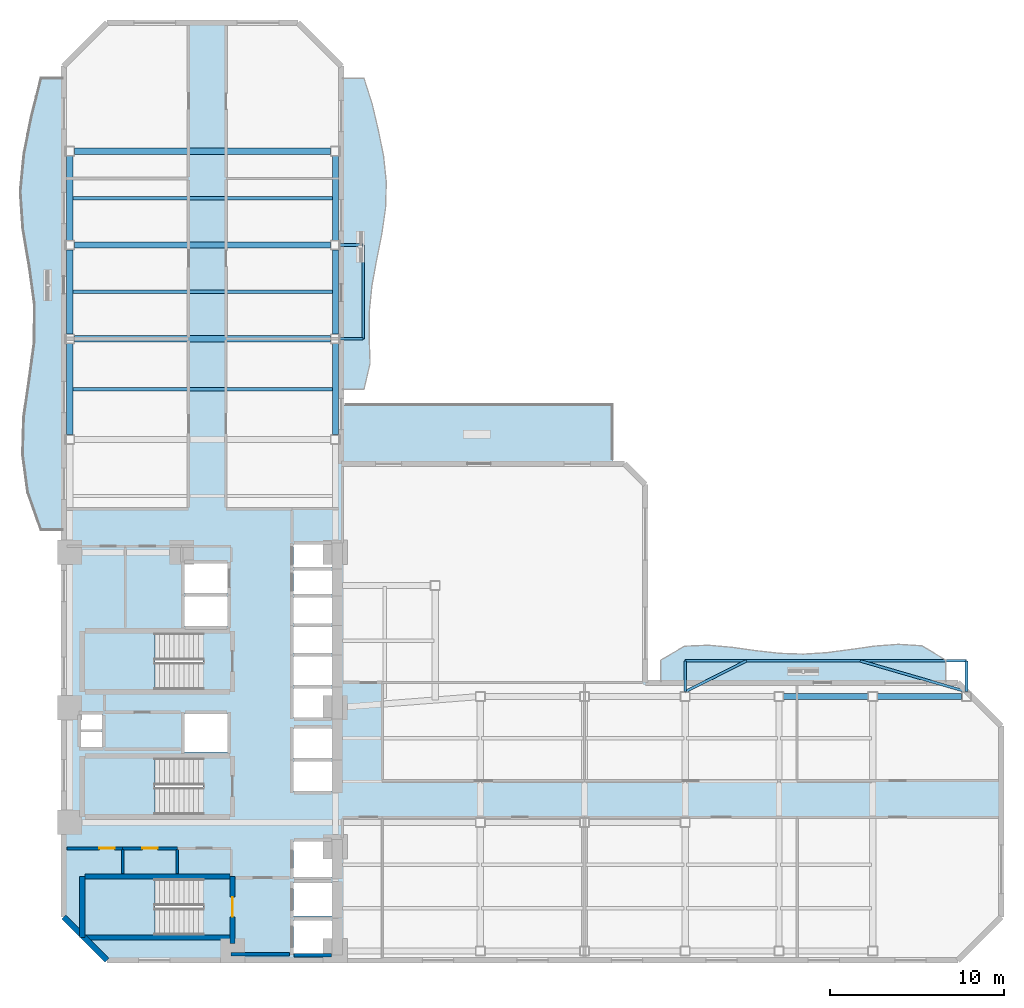
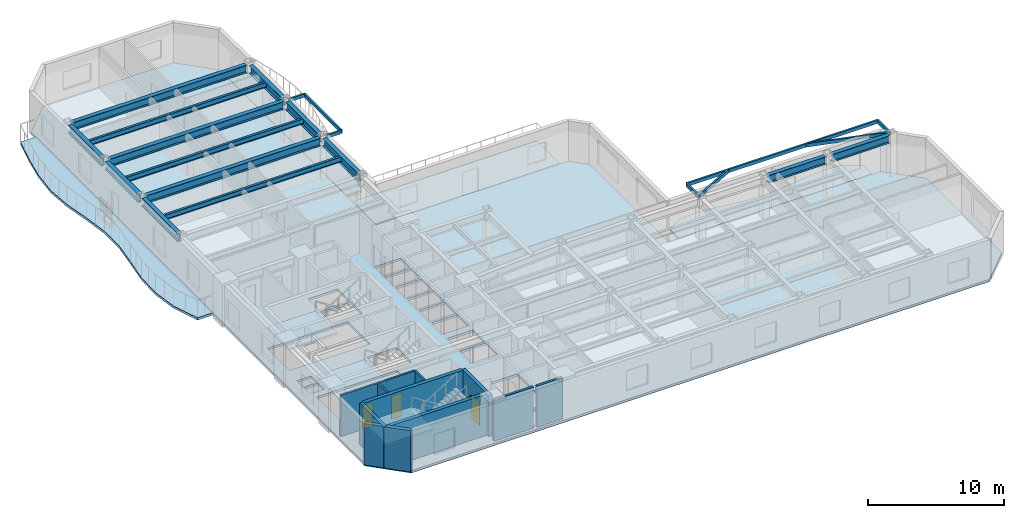
# One storey, part 2 of 10: 22 beams, 11 walls, 8 slabs, 3 doors, 3 openings, 3 elements without a shape of their own.
"""IFC4 building model written with IfcOpenShell, lengths in metres."""

from ifc_helpers import new_model, si_unit, direction, frame, frame_2d, origin, origin_2d, place, context, subcontext, project, spatial, polyline, rectangle, hollow_rectangle, i_section, outline, extrude, material, layer, layer_set, material_profile, profile_set, type_object, element, fill, aggregate, save


model = new_model("IFC4")

# Units and contexts
model_context = context("Model", 3, precision=1e-05, world=origin(), true_north=direction((0.0, 1.0)))
body_context = subcontext(model_context, "Body", "Model", "MODEL_VIEW")
ifc_project = project(units=[si_unit("LENGTHUNIT", "METRE"), si_unit("AREAUNIT", "SQUARE_METRE"), si_unit("VOLUMEUNIT", "CUBIC_METRE"), si_unit("PLANEANGLEUNIT", "RADIAN"), si_unit("MASSUNIT", "GRAM", prefix="KILO")], contexts=[model_context])

# Site, building, storey
site_placement = place(None, origin())
site = spatial("IfcSite", under=ifc_project, at=site_placement, CompositionType="ELEMENT")
building_placement = place(site_placement, origin())
building = spatial("IfcBuilding", under=site, at=building_placement, Name="Mawjaban Terraces University", CompositionType="ELEMENT")
storey_placement = place(building_placement, frame((0.0, 0.0, 31.0)))
storey = spatial("IfcBuildingStorey", under=building, at=storey_placement, Name="L06", CompositionType="ELEMENT", Elevation=31.0)

# Beams
ifc_material_1 = material(Name="Steel EN 10210-1 S355J2H", Category="steel")
ifc_material_profile_1 = material_profile(ifc_material_1, hollow_rectangle(XDim=0.14990234375, YDim=0.300048828125, WallThickness=0.012451171875, at=origin_2d()), Name="RHS300X150X12.5")
ifc_profile_set_1 = profile_set([ifc_material_profile_1], Name="Steel EN 10210-1 S355J2H")
beam_type_1 = type_object("IfcBeamType", Name="BalconyCantileverSpandrel_RHS", PredefinedType="SPANDREL", material=ifc_profile_set_1)
for number, where, z_axis, x_axis, name in (
    (1, (57.800048828125, 15.47509765625, 3.5400390625), (0.0, 1.0, 0.0), (-1.0, 0.0, 0.0), "L06 Exterior Outrigger BAL-L07-N.1"),
    (2, (74.0, 15.47509765625, 3.5400390625), (0.0, 1.0, 0.0), (-1.0, 0.0, 0.0), "L06 Exterior Outrigger BAL-L07-N.2"),
):
    element("IfcBeam", number, at=place(storey_placement, frame(where, z_axis=z_axis, x_axis=x_axis)), inside=storey, type_object=beam_type_1, Name=name, PredefinedType="SPANDREL", context=body_context, shape_type="SweptSolid", body=[
        extrude(hollow_rectangle(XDim=0.14990234375, YDim=0.300048828125, WallThickness=0.012451171875, at=origin_2d()), origin(), (0.0, 0.0, 1.0), 1.77490234375),
    ])
beam_1_placement = place(storey_placement, frame((57.800048828125, 17.25, 3.5400390625), z_axis=(1.0, 0.0, 0.0), x_axis=(0.0, 1.0, 0.0)))
element("IfcBeam", 3, at=beam_1_placement, inside=storey, type_object=beam_type_1, Name="L06 Exterior Edge Spandrel BAL-L07-N", PredefinedType="SPANDREL", context=body_context, shape_type="SweptSolid", body=[
    extrude(hollow_rectangle(XDim=0.14990234375, YDim=0.300048828125, WallThickness=0.012451171875, at=origin_2d()), origin(), (0.0, 0.0, 1.0), 16.199951171875),
])
beam_2_placement = place(storey_placement, frame((57.800048828125, 15.47509765625, 3.5400390625), z_axis=(0.892910985916, 0.450233240922, 0.0), x_axis=(-0.450233240922, 0.892910985916, 0.0)))
element("IfcBeam", 4, at=beam_2_placement, inside=storey, type_object=beam_type_1, Name="L06 Exterior Diagonal Strut BAL-L07-N.1", PredefinedType="SPANDREL", context=body_context, shape_type="SweptSolid", body=[
    extrude(hollow_rectangle(XDim=0.14990234375, YDim=0.300048828125, WallThickness=0.012451171875, at=origin_2d()), origin(), (0.0, 0.0, 1.0), 3.942138671875),
])
beam_3_placement = place(storey_placement, frame((74.0, 15.47509765625, 3.5400390625), z_axis=(-0.960426269064, 0.278534345624, 0.0), x_axis=(-0.278534345624, -0.960426269064, 0.0)))
element("IfcBeam", 5, at=beam_3_placement, inside=storey, type_object=beam_type_1, Name="L06 Exterior Diagonal Strut BAL-L07-N.2", PredefinedType="SPANDREL", context=body_context, shape_type="SweptSolid", body=[
    extrude(hollow_rectangle(XDim=0.14990234375, YDim=0.300048828125, WallThickness=0.012451171875, at=origin_2d()), origin(), (0.0, 0.0, 1.0), 6.372314453125),
])
for number, where, z_axis, x_axis, name in (
    (6, (37.925048828125, 35.800048828125, 3.5400390625), (1.0, 0.0, 0.0), (0.0, 1.0, 0.0), "L06 Exterior Outrigger BAL-L07-E.1"),
    (7, (37.925048828125, 41.199951171875, 3.5400390625), (1.0, 0.0, 0.0), (0.0, 1.0, 0.0), "L06 Exterior Outrigger BAL-L07-E.2"),
):
    element("IfcBeam", number, at=place(storey_placement, frame(where, z_axis=z_axis, x_axis=x_axis)), inside=storey, type_object=beam_type_1, Name=name, PredefinedType="SPANDREL", context=body_context, shape_type="SweptSolid", body=[
        extrude(hollow_rectangle(XDim=0.14990234375, YDim=0.300048828125, WallThickness=0.012451171875, at=origin_2d()), origin(), (0.0, 0.0, 1.0), 1.324951171875),
    ])
beam_4_placement = place(storey_placement, frame((39.25, 35.800048828125, 3.5400390625), z_axis=(0.0, 1.0, 0.0), x_axis=(-1.0, 0.0, 0.0)))
element("IfcBeam", 8, at=beam_4_placement, inside=storey, type_object=beam_type_1, Name="L06 Exterior Edge Spandrel BAL-L07-E", PredefinedType="SPANDREL", context=body_context, shape_type="SweptSolid", body=[
    extrude(hollow_rectangle(XDim=0.14990234375, YDim=0.300048828125, WallThickness=0.012451171875, at=origin_2d()), origin(), (0.0, 0.0, 1.0), 5.39990234375),
])
ifc_material_2 = material(Name="Steel ASTM A572 Grade 50", Category="steel")
ifc_material_profile_2 = material_profile(ifc_material_2, i_section(OverallWidth=0.35498046875, OverallDepth=0.695068359375, WebThickness=0.015380859375, FlangeThickness=0.02490234375, at=origin_2d()), Name="W690X217")
ifc_profile_set_2 = profile_set([ifc_material_profile_2], Name="Steel ASTM A572 Grade 50")
beam_type_2 = type_object("IfcBeamType", Name="Beam_B_W690X217", PredefinedType="BEAM", material=ifc_profile_set_2)
beam_5_placement = place(storey_placement, frame((63.47509765625, 15.199951171875, 3.343017578125), z_axis=(1.0, 0.0, 0.0), x_axis=(0.0, 1.0, 0.0)))
element("IfcBeam", 9, at=beam_5_placement, inside=storey, type_object=beam_type_2, Name="L06 Beam BM-L06-EW-12", PredefinedType="BEAM", context=body_context, shape_type="SweptSolid", body=[
    extrude(i_section(OverallWidth=0.35498046875, OverallDepth=0.695068359375, WebThickness=0.015380859375, FlangeThickness=0.02490234375, at=origin_2d()), origin(), (0.0, 0.0, 1.0), 4.849853515625),
])
beam_6_placement = place(storey_placement, frame((68.875, 15.199951171875, 3.343017578125), z_axis=(1.0, 0.0, 0.0), x_axis=(0.0, 1.0, 0.0)))
element("IfcBeam", 10, at=beam_6_placement, inside=storey, type_object=beam_type_2, Name="L06 Beam BM-L06-EW-13", PredefinedType="BEAM", context=body_context, shape_type="SweptSolid", body=[
    extrude(i_section(OverallWidth=0.35498046875, OverallDepth=0.695068359375, WebThickness=0.015380859375, FlangeThickness=0.02490234375, at=origin_2d()), origin(), (0.0, 0.0, 1.0), 4.85009765625),
])
for number, where, z_axis, x_axis, name in (
    (11, (22.625, 35.800048828125, 3.343017578125), (1.0, 0.0, 0.0), (0.0, 1.0, 0.0), "L06 Beam BM-L06-EW-16"),
    (12, (22.625, 41.199951171875, 3.343017578125), (1.0, 0.0, 0.0), (0.0, 1.0, 0.0), "L06 Beam BM-L06-EW-17"),
    (13, (22.625, 46.60009765625, 3.343017578125), (1.0, 0.0, 0.0), (0.0, 1.0, 0.0), "L06 Beam BM-L06-EW-18"),
):
    element("IfcBeam", number, at=place(storey_placement, frame(where, z_axis=z_axis, x_axis=x_axis)), inside=storey, type_object=beam_type_2, Name=name, PredefinedType="BEAM", context=body_context, shape_type="SweptSolid", body=[
        extrude(i_section(OverallWidth=0.35498046875, OverallDepth=0.695068359375, WebThickness=0.015380859375, FlangeThickness=0.02490234375, at=origin_2d()), origin(), (0.0, 0.0, 1.0), 14.75),
    ])
beam_7_placement = place(storey_placement, frame((22.35009765625, 30.27490234375, 3.343017578125), z_axis=(0.0, 1.0, 0.0), x_axis=(-1.0, 0.0, 0.0)))
element("IfcBeam", 14, at=beam_7_placement, inside=storey, type_object=beam_type_2, Name="L06 Beam BM-L06-NS-04", PredefinedType="BEAM", context=body_context, shape_type="SweptSolid", body=[
    extrude(i_section(OverallWidth=0.35498046875, OverallDepth=0.695068359375, WebThickness=0.015380859375, FlangeThickness=0.02490234375, at=origin_2d()), origin(), (0.0, 0.0, 1.0), 5.25),
])
beam_8_placement = place(storey_placement, frame((22.35009765625, 36.074951171875, 3.343017578125), z_axis=(0.0, 1.0, 0.0), x_axis=(-1.0, 0.0, 0.0)))
element("IfcBeam", 15, at=beam_8_placement, inside=storey, type_object=beam_type_2, Name="L06 Beam BM-L06-NS-05", PredefinedType="BEAM", context=body_context, shape_type="SweptSolid", body=[
    extrude(i_section(OverallWidth=0.35498046875, OverallDepth=0.695068359375, WebThickness=0.015380859375, FlangeThickness=0.02490234375, at=origin_2d()), origin(), (0.0, 0.0, 1.0), 4.85009765625),
])
beam_9_placement = place(storey_placement, frame((22.35009765625, 41.47509765625, 3.343017578125), z_axis=(0.0, 1.0, 0.0), x_axis=(-1.0, 0.0, 0.0)))
element("IfcBeam", 16, at=beam_9_placement, inside=storey, type_object=beam_type_2, Name="L06 Beam BM-L06-NS-06", PredefinedType="BEAM", context=body_context, shape_type="SweptSolid", body=[
    extrude(i_section(OverallWidth=0.35498046875, OverallDepth=0.695068359375, WebThickness=0.015380859375, FlangeThickness=0.02490234375, at=origin_2d()), origin(), (0.0, 0.0, 1.0), 4.849853515625),
])
beam_10_placement = place(storey_placement, frame((37.64990234375, 30.27490234375, 3.343017578125), z_axis=(0.0, 1.0, 0.0), x_axis=(-1.0, 0.0, 0.0)))
element("IfcBeam", 17, at=beam_10_placement, inside=storey, type_object=beam_type_2, Name="L06 Beam BM-L06-NS-11", PredefinedType="BEAM", context=body_context, shape_type="SweptSolid", body=[
    extrude(i_section(OverallWidth=0.35498046875, OverallDepth=0.695068359375, WebThickness=0.015380859375, FlangeThickness=0.02490234375, at=origin_2d()), origin(), (0.0, 0.0, 1.0), 5.25),
])
beam_11_placement = place(storey_placement, frame((37.64990234375, 36.074951171875, 3.343017578125), z_axis=(0.0, 1.0, 0.0), x_axis=(-1.0, 0.0, 0.0)))
element("IfcBeam", 18, at=beam_11_placement, inside=storey, type_object=beam_type_2, Name="L06 Beam BM-L06-NS-12", PredefinedType="BEAM", context=body_context, shape_type="SweptSolid", body=[
    extrude(i_section(OverallWidth=0.35498046875, OverallDepth=0.695068359375, WebThickness=0.015380859375, FlangeThickness=0.02490234375, at=origin_2d()), origin(), (0.0, 0.0, 1.0), 4.85009765625),
])
beam_12_placement = place(storey_placement, frame((37.64990234375, 41.47509765625, 3.343017578125), z_axis=(0.0, 1.0, 0.0), x_axis=(-1.0, 0.0, 0.0)))
element("IfcBeam", 19, at=beam_12_placement, inside=storey, type_object=beam_type_2, Name="L06 Beam BM-L06-NS-13", PredefinedType="BEAM", context=body_context, shape_type="SweptSolid", body=[
    extrude(i_section(OverallWidth=0.35498046875, OverallDepth=0.695068359375, WebThickness=0.015380859375, FlangeThickness=0.02490234375, at=origin_2d()), origin(), (0.0, 0.0, 1.0), 4.849853515625),
])
ifc_material_profile_3 = material_profile(ifc_material_2, i_section(OverallWidth=0.19189453125, OverallDepth=0.462890625, WebThickness=0.010498046875, FlangeThickness=0.017578125, at=origin_2d()), Name="W460X89")
ifc_profile_set_3 = profile_set([ifc_material_profile_3], Name="Steel ASTM A572 Grade 50")
beam_type_3 = type_object("IfcBeamType", Name="Beam_J_W460X89", PredefinedType="JOIST", material=ifc_profile_set_3)
for number, where, z_axis, x_axis, name in (
    (20, (22.429931640625, 32.89990234375, 3.458984375), (1.0, 0.0, 0.0), (0.0, 1.0, 0.0), "L06 Composite Joist JST-L06-23"),
    (21, (22.429931640625, 38.5, 3.458984375), (1.0, 0.0, 0.0), (0.0, 1.0, 0.0), "L06 Composite Joist JST-L06-24"),
    (22, (22.429931640625, 43.89990234375, 3.458984375), (1.0, 0.0, 0.0), (0.0, 1.0, 0.0), "L06 Composite Joist JST-L06-25"),
):
    element("IfcBeam", number, at=place(storey_placement, frame(where, z_axis=z_axis, x_axis=x_axis)), inside=storey, type_object=beam_type_3, Name=name, PredefinedType="JOIST", context=body_context, shape_type="SweptSolid", body=[
        extrude(i_section(OverallWidth=0.19189453125, OverallDepth=0.462890625, WebThickness=0.010498046875, FlangeThickness=0.017578125, at=origin_2d()), origin(), (0.0, 0.0, 1.0), 15.14013671875),
    ])

# Slabs
ifc_material_3 = material(Name="Concrete C40/50", Category="concrete")
ifc_layer_1 = layer(ifc_material_3, 0.2099609375)
ifc_layer_set_1 = layer_set([ifc_layer_1], Name="Concrete C40/50")
slab_type_1 = type_object("IfcSlabType", Name="BalconySlab_210_Ext", PredefinedType="FLOOR", material=ifc_layer_set_1)
slab_1_placement = place(storey_placement, frame((0.0, 0.0, -0.2099609375)))
element("IfcSlab", 23, at=slab_1_placement, inside=storey, type_object=slab_type_1, Name="L06 Planted Balcony Slab west", PredefinedType="FLOOR", context=body_context, shape_type="SweptSolid", body=[
    extrude(outline(polyline([(22.010009765625, 24.800048828125), (22.010009765625, 50.800048828125), (20.699951171875, 50.800048828125), (20.154052734375, 48.633056640625), (19.722900390625, 46.467041015625), (19.512939453125, 44.300048828125), (19.656982421875, 42.133056640625), (20.027099609375, 39.967041015625), (20.323974609375, 37.800048828125), (20.31494140625, 35.633056640625), (20.02197265625, 33.467041015625), (19.7041015625, 31.300048828125), (19.64404296875, 29.133056640625), (19.93701171875, 26.967041015625), (20.699951171875, 24.800048828125), (22.010009765625, 24.800048828125)])), origin(), (0.0, 0.0, 1.0), 0.2099609375),
])
slab_2_placement = place(storey_placement, frame((0.0, 0.0, -0.2099609375)))
element("IfcSlab", 24, at=slab_2_placement, inside=storey, type_object=slab_type_1, Name="L06 Planted Balcony Slab inner_north", PredefinedType="FLOOR", context=body_context, shape_type="SweptSolid", body=[
    extrude(outline(polyline([(56.39990234375, 15.989990234375), (72.800048828125, 15.989990234375), (72.800048828125, 17.300048828125), (71.43310546875, 18.118896484375), (70.06689453125, 18.2041015625), (68.699951171875, 18.10009765625), (67.3330078125, 17.906982421875), (65.967041015625, 17.72509765625), (64.60009765625, 17.638916015625), (63.23291015625, 17.68505859375), (61.866943359375, 17.840087890625), (60.5, 18.030029296875), (59.133056640625, 18.152099609375), (57.76708984375, 18.096923828125), (56.39990234375, 17.300048828125), (56.39990234375, 15.989990234375)])), origin(), (0.0, 0.0, 1.0), 0.2099609375),
])
slab_3_placement = place(storey_placement, frame((0.0, 0.0, -0.2099609375)))
element("IfcSlab", 25, at=slab_3_placement, inside=storey, type_object=slab_type_1, Name="L06 Planted Balcony Slab inner_east", PredefinedType="FLOOR", context=body_context, shape_type="SweptSolid", body=[
    extrude(outline(polyline([(39.300048828125, 32.89990234375), (39.65087890625, 34.39208984375), (39.595947265625, 35.883056640625), (39.60693359375, 37.375), (39.757080078125, 38.866943359375), (40.028076171875, 40.35791015625), (40.327880859375, 41.85009765625), (40.54296875, 43.342041015625), (40.583984375, 44.8330078125), (40.427001953125, 46.324951171875), (40.1259765625, 47.81689453125), (39.77490234375, 49.30810546875), (39.300048828125, 50.800048828125), (37.989990234375, 50.800048828125), (37.989990234375, 32.89990234375), (39.300048828125, 32.89990234375)])), origin(), (0.0, 0.0, 1.0), 0.2099609375),
])
ifc_layer_2 = layer(ifc_material_3, 0.2099609375)
ifc_layer_set_2 = layer_set([ifc_layer_2], Name="Concrete C40/50")
slab_type_2 = type_object("IfcSlabType", Name="CompositeSlab_210", PredefinedType="FLOOR", material=ifc_layer_set_2)
slab_4_placement = place(storey_placement, frame((0.0, 0.0, -0.2099609375)))
element("IfcSlab", 26, at=slab_4_placement, inside=storey, type_object=slab_type_2, Name="L06 Primary Structural Slab", PredefinedType="FLOOR", context=body_context, shape_type="SweptSolid", body=[
    extrude(outline(polyline([(24.5, 0.0), (73.5, 0.0), (76.0, 2.5), (76.0, 13.5), (73.5, 16.0), (55.5, 16.0), (55.5, 27.39990234375), (54.300048828125, 28.60009765625), (38.0, 28.60009765625), (38.0, 51.5), (35.5, 54.0), (24.5, 54.0), (22.0, 51.5), (22.0, 2.5), (24.5, 0.0)]), holes=[polyline([(30.014892578125, 4.699951171875), (23.199951171875, 4.699951171875), (23.199951171875, 1.449951171875), (30.014892578125, 1.449951171875), (30.014892578125, 4.699951171875)]), polyline([(30.014892578125, 18.85009765625), (23.199951171875, 18.85009765625), (23.199951171875, 15.60009765625), (30.014892578125, 15.60009765625), (30.014892578125, 18.85009765625)]), polyline([(30.014892578125, 11.64990234375), (23.199951171875, 11.64990234375), (23.199951171875, 8.39990234375), (30.014892578125, 8.39990234375), (30.014892578125, 11.64990234375)]), polyline([(35.25, 0.39990234375), (37.449951171875, 0.39990234375), (37.449951171875, 2.300048828125), (35.25, 2.300048828125), (35.25, 0.39990234375)]), polyline([(35.25, 2.550048828125), (37.449951171875, 2.550048828125), (37.449951171875, 4.449951171875), (35.25, 4.449951171875), (35.25, 2.550048828125)]), polyline([(35.25, 4.800048828125), (37.449951171875, 4.800048828125), (37.449951171875, 6.85009765625), (35.25, 6.85009765625), (35.25, 4.800048828125)]), polyline([(35.25, 9.75), (37.449951171875, 9.75), (37.449951171875, 11.449951171875), (35.25, 11.449951171875), (35.25, 9.75)]), polyline([(35.25, 11.64990234375), (37.449951171875, 11.64990234375), (37.449951171875, 13.35009765625), (35.25, 13.35009765625), (35.25, 11.64990234375)]), polyline([(28.949951171875, 12.0), (31.449951171875, 12.0), (31.449951171875, 14.199951171875), (28.949951171875, 14.199951171875), (28.949951171875, 12.0)]), polyline([(35.25, 14.0), (37.449951171875, 14.0), (37.449951171875, 15.64990234375), (35.25, 15.64990234375), (35.25, 14.0)]), polyline([(35.25, 15.85009765625), (37.449951171875, 15.85009765625), (37.449951171875, 17.5), (35.25, 17.5), (35.25, 15.85009765625)]), polyline([(35.25, 17.699951171875), (37.449951171875, 17.699951171875), (37.449951171875, 19.199951171875), (35.25, 19.199951171875), (35.25, 17.699951171875)]), polyline([(35.25, 19.39990234375), (37.449951171875, 19.39990234375), (37.449951171875, 20.89990234375), (35.25, 20.89990234375), (35.25, 19.39990234375)]), polyline([(28.949951171875, 19.25), (31.449951171875, 19.25), (31.449951171875, 20.949951171875), (28.949951171875, 20.949951171875), (28.949951171875, 19.25)]), polyline([(35.25, 21.10009765625), (37.449951171875, 21.10009765625), (37.449951171875, 22.449951171875), (35.25, 22.449951171875), (35.25, 21.10009765625)]), polyline([(35.25, 22.64990234375), (37.449951171875, 22.64990234375), (37.449951171875, 23.949951171875), (35.25, 23.949951171875), (35.25, 22.64990234375)]), polyline([(28.949951171875, 21.14990234375), (31.449951171875, 21.14990234375), (31.449951171875, 22.85009765625), (28.949951171875, 22.85009765625), (28.949951171875, 21.14990234375)]), polyline([(23.0, 12.25), (24.199951171875, 12.25), (24.199951171875, 13.14990234375), (23.0, 13.14990234375), (23.0, 12.25)]), polyline([(23.0, 13.300048828125), (24.199951171875, 13.300048828125), (24.199951171875, 14.179931640625), (23.0, 14.179931640625), (23.0, 13.300048828125)])]), origin(), (0.0, 0.0, 1.0), 0.2099609375),
])

# Stair, slab
stair_type = type_object("IfcStairType", Name="Stair_Core1550_H39", PredefinedType="HALF_TURN_STAIR", material=ifc_material_3)
stair_1_placement = place(storey_placement, origin())
stair_1 = element("IfcStair", 27, at=stair_1_placement, inside=storey, type_object=stair_type, Name="L06 Core Exit Stair 1", PredefinedType="HALF_TURN_STAIR")
ifc_layer_3 = layer(ifc_material_3, 0.199951171875)
ifc_layer_set_3 = layer_set([ifc_layer_3], Name="Concrete C40/50")
slab_type_3 = type_object("IfcSlabType", Name="StairLandingSlab_200", PredefinedType="LANDING", material=ifc_layer_set_3)
slab_5_placement = place(storey_placement, frame((0.0, 0.0, 1.75)))
slab_5 = element("IfcSlab", 28, at=slab_5_placement, type_object=slab_type_3, Name="ST-1 landing 1", PredefinedType="LANDING", context=body_context, shape_type="SweptSolid", body=[
    extrude(outline(polyline([(27.25, 4.699951171875), (23.199951171875, 4.699951171875), (23.199951171875, 1.449951171875), (27.25, 1.449951171875), (27.25, 4.699951171875)])), origin(), (0.0, 0.0, 1.0), 0.199951171875),
])
aggregate(stair_1, [slab_5])

stair_2_placement = place(storey_placement, origin())
stair_2 = element("IfcStair", 29, at=stair_2_placement, inside=storey, type_object=stair_type, Name="L06 Core Exit Stair 2", PredefinedType="HALF_TURN_STAIR")
slab_6_placement = place(storey_placement, frame((0.0, 0.0, 1.75)))
slab_6 = element("IfcSlab", 30, at=slab_6_placement, type_object=slab_type_3, Name="ST-2 landing 1", PredefinedType="LANDING", context=body_context, shape_type="SweptSolid", body=[
    extrude(outline(polyline([(27.25, 18.85009765625), (23.199951171875, 18.85009765625), (23.199951171875, 15.60009765625), (27.25, 15.60009765625), (27.25, 18.85009765625)])), origin(), (0.0, 0.0, 1.0), 0.199951171875),
])
aggregate(stair_2, [slab_6])

stair_3_placement = place(storey_placement, origin())
stair_3 = element("IfcStair", 31, at=stair_3_placement, inside=storey, type_object=stair_type, Name="L06 Core Exit Stair 3", PredefinedType="HALF_TURN_STAIR")
slab_7_placement = place(storey_placement, frame((0.0, 0.0, 1.75)))
slab_7 = element("IfcSlab", 32, at=slab_7_placement, type_object=slab_type_3, Name="ST-3 landing 1", PredefinedType="LANDING", context=body_context, shape_type="SweptSolid", body=[
    extrude(outline(polyline([(27.25, 11.64990234375), (23.199951171875, 11.64990234375), (23.199951171875, 8.39990234375), (27.25, 8.39990234375), (27.25, 11.64990234375)])), origin(), (0.0, 0.0, 1.0), 0.199951171875),
])
aggregate(stair_3, [slab_7])

# Slab
ifc_layer_4 = layer(ifc_material_3, 0.2099609375)
ifc_layer_set_4 = layer_set([ifc_layer_4], Name="Concrete C40/50")
slab_type_4 = type_object("IfcSlabType", Name="StudyTerraceSlab_210_Ext", PredefinedType="FLOOR", material=ifc_layer_set_4)
slab_8_placement = place(storey_placement, frame((0.0, 0.0, -0.2099609375)))
element("IfcSlab", 33, at=slab_8_placement, inside=storey, type_object=slab_type_4, Name="L06 Exterior Study Terrace Slab", PredefinedType="FLOOR", context=body_context, shape_type="SweptSolid", body=[
    extrude(outline(polyline([(38.0, 28.60009765625), (53.60009765625, 28.60009765625), (53.60009765625, 32.0), (38.0, 32.0), (38.0, 28.60009765625)])), origin(), (0.0, 0.0, 1.0), 0.2099609375),
])

# Wall, opening, door
ifc_material_4 = material(Name="Fire-rated gypsum board on steel stud", Category="steel")
ifc_layer_5 = layer(ifc_material_4, 0.159912109375)
ifc_layer_set_5 = layer_set([ifc_layer_5], Name="Fire-rated gypsum board on steel stud")
wall_type_1 = type_object("IfcWallType", Name="CorridorPartition_160", PredefinedType="PARTITIONING", material=ifc_layer_set_5)
wall_1_placement = place(storey_placement, frame((22.199951171875, 6.449951171875, 0.0), z_axis=(0.0, 0.0, 1.0), x_axis=(1.0, 0.0, 0.0)))
wall_1 = element("IfcWall", 34, at=wall_1_placement, inside=storey, type_object=wall_type_1, Name="L06 Core Washroom Lobby Partition 1", PredefinedType="PARTITIONING", context=body_context, shape_type="SweptSolid", body=[
    extrude(rectangle(XDim=3.199951171875, YDim=0.159912109375, at=frame_2d((1.60009765625, 0.0))), origin(), (0.0, 0.0, 1.0), 3.68994140625),
])
opening_1_placement = place(wall_1_placement, frame((1.860107421875, 0.0, 0.0)))
opening_1 = element("IfcOpeningElement", 35, at=opening_1_placement, cuts=wall_1, Name="Opening ID-088", PredefinedType="OPENING", context=body_context, shape_type="SweptSolid", body=[
    extrude(rectangle(XDim=0.8798828125, YDim=2.10009765625, at=frame_2d((0.43994140625, 1.050048828125))), frame((0.0, 0.08984375, 0.0), z_axis=(0.0, -1.0, 0.0), x_axis=(1.0, 0.0, 0.0)), (0.0, 0.0, 1.0), 0.179931640625),
])
ifc_material_5 = material(Name="Powder-coated steel frame and solid acoustic timber leaf", Category="steel")
door_type_1 = type_object("IfcDoorType", Name="ToiletDoor_880x2100", OperationType="NOTDEFINED", PredefinedType="DOOR", material=ifc_material_5)
door_1_placement = place(opening_1_placement, origin())
door_1 = element("IfcDoor", 36, at=door_1_placement, inside=storey, type_object=door_type_1, Name="L06 Male Toilet Door", OperationType="SINGLE_SWING_RIGHT", OverallHeight=2.10009765625, OverallWidth=0.8798828125, PredefinedType="DOOR", context=body_context, shape_type="SweptSolid", body=[
    extrude(rectangle(XDim=0.8798828125, YDim=2.10009765625, at=frame_2d((0.43994140625, 1.050048828125))), frame((0.0, 0.02490234375, 0.0), z_axis=(0.0, -1.0, 0.0), x_axis=(1.0, 0.0, 0.0)), (0.0, 0.0, 1.0), 0.050048828125),
])
fill(opening_1, door_1)

wall_2_placement = place(storey_placement, frame((25.39990234375, 6.449951171875, 0.0), z_axis=(0.0, 0.0, 1.0), x_axis=(1.0, 0.0, 0.0)))
wall_2 = element("IfcWall", 37, at=wall_2_placement, inside=storey, type_object=wall_type_1, Name="L06 Core Washroom Lobby Partition 4", PredefinedType="PARTITIONING", context=body_context, shape_type="SweptSolid", body=[
    extrude(rectangle(XDim=3.150146484375, YDim=0.159912109375, at=frame_2d((1.5751953125, 0.0))), origin(), (0.0, 0.0, 1.0), 3.68994140625),
])
opening_2_placement = place(wall_2_placement, frame((1.135009765625, 0.0, 0.0)))
opening_2 = element("IfcOpeningElement", 38, at=opening_2_placement, cuts=wall_2, Name="Opening ID-088", PredefinedType="OPENING", context=body_context, shape_type="SweptSolid", body=[
    extrude(rectangle(XDim=0.8798828125, YDim=2.10009765625, at=frame_2d((0.43994140625, 1.050048828125))), frame((0.0, 0.08984375, 0.0), z_axis=(0.0, -1.0, 0.0), x_axis=(1.0, 0.0, 0.0)), (0.0, 0.0, 1.0), 0.179931640625),
])
door_2_placement = place(opening_2_placement, origin())
door_2 = element("IfcDoor", 39, at=door_2_placement, inside=storey, type_object=door_type_1, Name="L06 Female Toilet Door", OperationType="SINGLE_SWING_LEFT", OverallHeight=2.10009765625, OverallWidth=0.8798828125, PredefinedType="DOOR", context=body_context, shape_type="SweptSolid", body=[
    extrude(rectangle(XDim=0.8798828125, YDim=2.10009765625, at=frame_2d((0.43994140625, 1.050048828125))), frame((0.0, 0.02490234375, 0.0), z_axis=(0.0, -1.0, 0.0), x_axis=(1.0, 0.0, 0.0)), (0.0, 0.0, 1.0), 0.050048828125),
])
fill(opening_2, door_2)

# Walls
ifc_material_6 = material(Name="Insulated terracotta rainscreen on concrete backup C40/50", Category="masonry")
ifc_layer_6 = layer(ifc_material_6, 0.320068359375)
ifc_layer_set_6 = layer_set([ifc_layer_6], Name="Insulated terracotta rainscreen on concrete backup C40/50")
wall_type_2 = type_object("IfcWallType", Name="ExtTerracottaWall_320", PredefinedType="SOLIDWALL", material=ifc_layer_set_6)
wall_3_placement = place(storey_placement, frame((22.0, 2.5, 0.0), z_axis=(0.0, 0.0, 1.0), x_axis=(0.707106781187, -0.707106781187, 0.0)))
element("IfcWall", 40, at=wall_3_placement, inside=storey, type_object=wall_type_2, Name="L06 Exterior Terracotta Wall 14", PredefinedType="SOLIDWALL", context=body_context, shape_type="SweptSolid", body=[
    extrude(rectangle(XDim=3.53564453125, YDim=0.320068359375, at=frame_2d((1.767822265625, 0.0))), origin(), (0.0, 0.0, 1.0), 3.68994140625),
])
ifc_layer_7 = layer(ifc_material_3, 0.199951171875)
ifc_layer_set_7 = layer_set([ifc_layer_7], Name="Concrete C40/50")
wall_type_3 = type_object("IfcWallType", Name="FireLobbyWall_200", PredefinedType="SOLIDWALL", material=ifc_layer_set_7)
wall_4_placement = place(storey_placement, frame((35.280029296875, 0.300048828125, 0.0), z_axis=(0.0, 0.0, 1.0), x_axis=(1.0, 0.0, 0.0)))
element("IfcWall", 41, at=wall_4_placement, inside=storey, type_object=wall_type_3, Name="L06 Lift FL-1 Hoistway Wall South", PredefinedType="SOLIDWALL", context=body_context, shape_type="SweptSolid", body=[
    extrude(rectangle(XDim=2.139892578125, YDim=0.199951171875, at=frame_2d((1.06982421875, 0.0))), origin(), (0.0, 0.0, 1.0), 3.68994140625),
])
wall_5_placement = place(storey_placement, frame((31.64990234375, 0.35009765625, 0.0), z_axis=(0.0, 0.0, 1.0), x_axis=(1.0, 0.0, 0.0)))
element("IfcWall", 42, at=wall_5_placement, inside=storey, type_object=wall_type_3, Name="L06 Firefighting Lift Lobby Partition 12", PredefinedType="SOLIDWALL", context=body_context, shape_type="SweptSolid", body=[
    extrude(rectangle(XDim=3.3701171875, YDim=0.199951171875, at=frame_2d((1.68505859375, 0.0))), origin(), (0.0, 0.0, 1.0), 3.68994140625),
])
ifc_material_7 = material(Name="Concrete C60/75", Category="concrete")
ifc_layer_8 = layer(ifc_material_7, 0.300048828125)
ifc_layer_set_8 = layer_set([ifc_layer_8], Name="Concrete C60/75")
wall_type_4 = type_object("IfcWallType", Name="StairShaftWall_300", PredefinedType="SHEAR", material=ifc_layer_set_8)
wall_6_placement = place(storey_placement, frame((31.580078125, 4.830078125, 0.0), z_axis=(0.0, 0.0, 1.0), x_axis=(-1.0, 0.0, 0.0)))
element("IfcWall", 43, at=wall_6_placement, inside=storey, type_object=wall_type_4, Name="L06 ST-1 Stair Shaft Wall 1", PredefinedType="SHEAR", context=body_context, shape_type="SweptSolid", body=[
    extrude(rectangle(XDim=8.360107421875, YDim=0.300048828125, at=frame_2d((4.18017578125, 0.0))), origin(), (0.0, 0.0, 1.0), 3.68994140625),
])
wall_7_placement = place(storey_placement, frame((23.070068359375, 4.830078125, 0.0), z_axis=(0.0, 0.0, 1.0), x_axis=(0.0, -1.0, 0.0)))
element("IfcWall", 44, at=wall_7_placement, inside=storey, type_object=wall_type_4, Name="L06 ST-1 Stair Shaft Wall 2", PredefinedType="SHEAR", context=body_context, shape_type="SweptSolid", body=[
    extrude(rectangle(XDim=3.510009765625, YDim=0.300048828125, at=frame_2d((1.7548828125, 0.0))), origin(), (0.0, 0.0, 1.0), 3.68994140625),
])
wall_8_placement = place(storey_placement, frame((23.219970703125, 1.320068359375, 0.0), z_axis=(0.0, 0.0, 1.0), x_axis=(1.0, 0.0, 0.0)))
element("IfcWall", 45, at=wall_8_placement, inside=storey, type_object=wall_type_4, Name="L06 ST-1 Stair Shaft Wall 3", PredefinedType="SHEAR", context=body_context, shape_type="SweptSolid", body=[
    extrude(rectangle(XDim=8.360107421875, YDim=0.300048828125, at=frame_2d((4.18017578125, 0.0))), origin(), (0.0, 0.0, 1.0), 3.68994140625),
])

# Wall, opening, door
wall_9_placement = place(storey_placement, frame((31.72998046875, 0.9599609375, 0.0), z_axis=(0.0, 0.0, 1.0), x_axis=(0.0, 1.0, 0.0)))
wall_9 = element("IfcWall", 46, at=wall_9_placement, inside=storey, type_object=wall_type_4, Name="L06 ST-1 Stair Shaft Wall 4", PredefinedType="SHEAR", context=body_context, shape_type="SweptSolid", body=[
    extrude(rectangle(XDim=3.8701171875, YDim=0.300048828125, at=frame_2d((1.93505859375, 0.0))), origin(), (0.0, 0.0, 1.0), 3.68994140625),
])
opening_3_placement = place(wall_9_placement, frame((1.5400390625, 0.0, 0.0)))
opening_3 = element("IfcOpeningElement", 47, at=opening_3_placement, cuts=wall_9, Name="Opening FD-115", PredefinedType="OPENING", context=body_context, shape_type="SweptSolid", body=[
    extrude(rectangle(XDim=1.14990234375, YDim=2.14990234375, at=frame_2d((0.574951171875, 1.074951171875))), frame((0.0, 0.159912109375, 0.0), z_axis=(0.0, -1.0, 0.0), x_axis=(1.0, 0.0, 0.0)), (0.0, 0.0, 1.0), 0.320068359375),
])
ifc_material_8 = material(Name="Powder-coated steel frame and fire-rated steel-faced leaf", Category="steel")
door_type_2 = type_object("IfcDoorType", Name="FireStairDoor_1150x2150", OperationType="NOTDEFINED", PredefinedType="DOOR", material=ifc_material_8)
door_3_placement = place(opening_3_placement, origin())
door_3 = element("IfcDoor", 48, at=door_3_placement, inside=storey, type_object=door_type_2, Name="L06 ST-1 Pressurised Stair Fire Door", OperationType="SINGLE_SWING_RIGHT", OverallHeight=2.14990234375, OverallWidth=1.14990234375, PredefinedType="DOOR", context=body_context, shape_type="SweptSolid", body=[
    extrude(rectangle(XDim=1.14990234375, YDim=2.14990234375, at=frame_2d((0.574951171875, 1.074951171875))), frame((0.0, 0.02490234375, 0.0), z_axis=(0.0, -1.0, 0.0), x_axis=(1.0, 0.0, 0.0)), (0.0, 0.0, 1.0), 0.050048828125),
])
fill(opening_3, door_3)

# Walls
ifc_material_9 = material(Name="Cement-board wet-room partition", Category="masonry")
ifc_layer_9 = layer(ifc_material_9, 0.135009765625)
ifc_layer_set_9 = layer_set([ifc_layer_9], Name="Cement-board wet-room partition")
wall_type_5 = type_object("IfcWallType", Name="WetRoomPartition_135", PredefinedType="PARTITIONING", material=ifc_layer_set_9)
for number, where, z_axis, x_axis, name in (
    (49, (25.39990234375, 5.010009765625, 0.0), (0.0, 0.0, 1.0), (0.0, 1.0, 0.0), "L06 Male Toilet Partition 29"),
    (50, (28.550048828125, 5.010009765625, 0.0), (0.0, 0.0, 1.0), (0.0, 1.0, 0.0), "L06 Female Toilet Partition 31"),
):
    element("IfcWall", number, at=place(storey_placement, frame(where, z_axis=z_axis, x_axis=x_axis)), inside=storey, type_object=wall_type_5, Name=name, PredefinedType="PARTITIONING", context=body_context, shape_type="SweptSolid", body=[
        extrude(rectangle(XDim=1.364990234375, YDim=0.135009765625, at=frame_2d((0.6826171875, 0.0))), origin(), (0.0, 0.0, 1.0), 3.68994140625),
    ])

save(model, "model.ifc")
